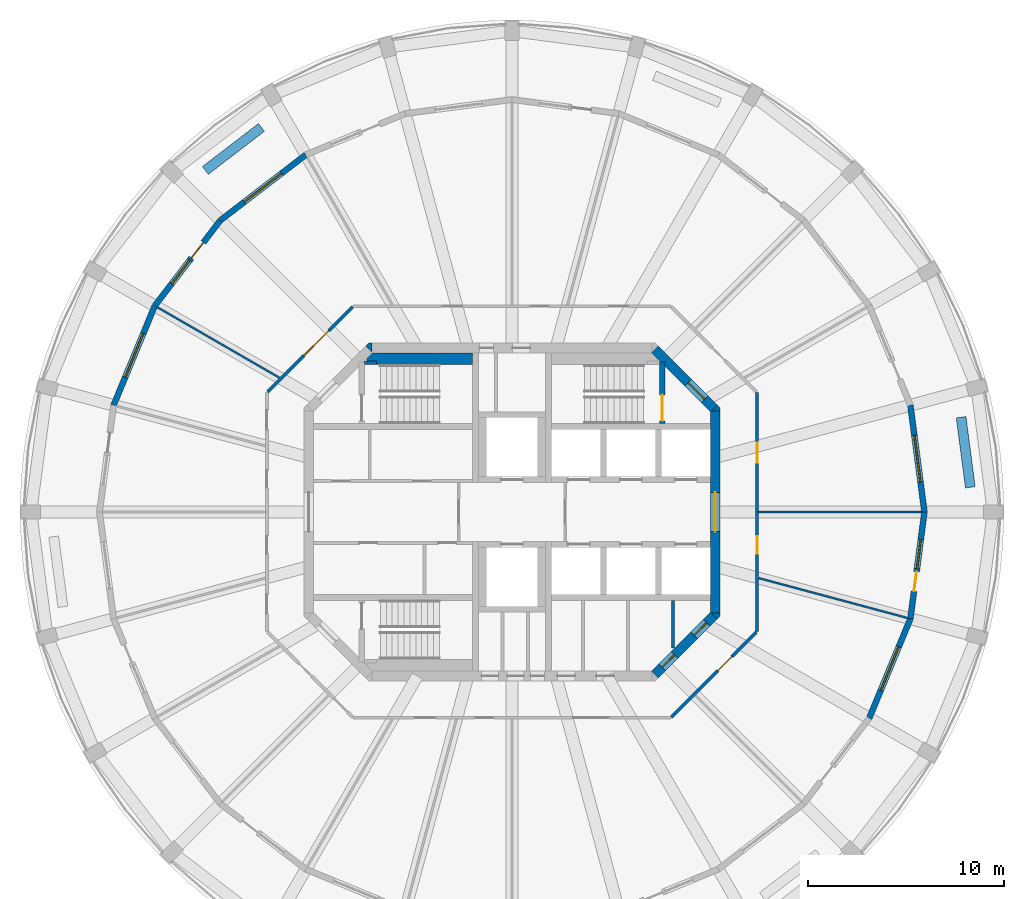
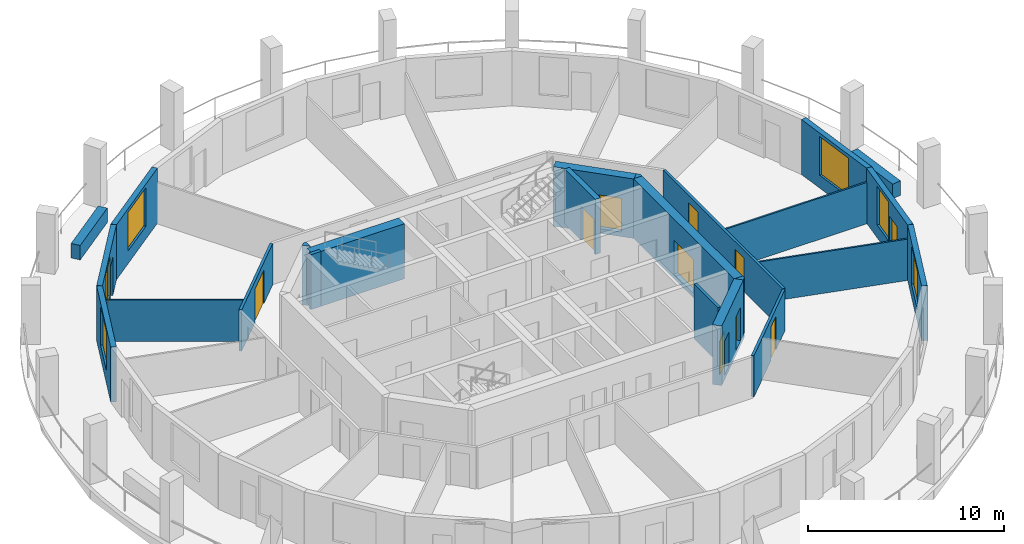
# One storey, part 5 of 9: 24 walls, 11 doors, 6 windows, 17 openings.
"""IFC4 building model written with IfcOpenShell, lengths in metres."""

from ifc_helpers import new_model, si_unit, direction, frame, frame_2d, origin, place, context, subcontext, project, spatial, polyline, rectangle, outline, extrude, material, layer, layer_set, type_object, element, fill, save


model = new_model("IFC4")

# Units and contexts
model_context = context("Model", 3, precision=1e-05, world=origin(), true_north=direction((0.0, 1.0)))
body_context = subcontext(model_context, "Body", "Model", "MODEL_VIEW")
ifc_project = project(units=[si_unit("LENGTHUNIT", "METRE"), si_unit("AREAUNIT", "SQUARE_METRE"), si_unit("VOLUMEUNIT", "CUBIC_METRE"), si_unit("PLANEANGLEUNIT", "RADIAN"), si_unit("MASSUNIT", "GRAM", prefix="KILO")], contexts=[model_context])

# Site, building, storey
site_placement = place(None, origin())
site = spatial("IfcSite", under=ifc_project, at=site_placement, CompositionType="ELEMENT")
building_placement = place(site_placement, origin())
building = spatial("IfcBuilding", under=site, at=building_placement, Name="Torre Triforio", CompositionType="ELEMENT")
storey_placement = place(building_placement, frame((0.0, 0.0, 264.89990234375)))
storey = spatial("IfcBuildingStorey", under=building, at=storey_placement, Name="L61", CompositionType="ELEMENT", Elevation=264.89990234375)

# Wall, opening, door
ifc_material_1 = material(Name="Concrete C40", Category="concrete")
ifc_layer_1 = layer(ifc_material_1, 0.5)
ifc_layer_set_1 = layer_set([ifc_layer_1], Name="Concrete C40")
wall_type_1 = type_object("IfcWallType", Name="Core wall 500 mm C40 EI 120", PredefinedType="SHEAR", material=ifc_layer_set_1)
wall_1_placement = place(storey_placement, frame((10.35009765625, -5.1298828125, -0.27978515625), z_axis=(0.0, 0.0, 1.0), x_axis=(0.0, 1.0, 0.0)))
wall_1 = element("IfcWall", 1, at=wall_1_placement, inside=storey, type_object=wall_type_1, Name="Core wall", PredefinedType="SHEAR", context=body_context, shape_type="SweptSolid", body=[
    extrude(rectangle(XDim=10.259765625, YDim=0.5, at=frame_2d((5.1298828125, 0.0))), origin(), (0.0, 0.0, 1.0), 3.699951171875),
])
opening_1_placement = place(wall_1_placement, frame((4.1298828125, 0.0, 0.280029296875)))
opening_1 = element("IfcOpeningElement", 2, at=opening_1_placement, cuts=wall_1, Name="Opening E-RING", PredefinedType="OPENING", context=body_context, shape_type="SweptSolid", body=[
    extrude(rectangle(XDim=2.0, YDim=2.10009765625, at=frame_2d((1.0, 1.050048828125))), frame((0.0, 0.260009765625, 0.0), z_axis=(0.0, -1.0, 0.0), x_axis=(1.0, 0.0, 0.0)), (0.0, 0.0, 1.0), 0.52001953125),
])
ifc_material_2 = material(Name="Hollow metal fire door leaf")
door_type_1 = type_object("IfcDoorType", Name="Lobby door 2000 x 2100 EI 60", OperationType="DOUBLE_DOOR_SINGLE_SWING", PredefinedType="DOOR", material=ifc_material_2)
door_1_placement = place(opening_1_placement, origin())
door_1 = element("IfcDoor", 3, at=door_1_placement, inside=storey, type_object=door_type_1, Name="Core door E-RING", OperationType="DOUBLE_DOOR_SINGLE_SWING", OverallHeight=2.10009765625, OverallWidth=2.0, PredefinedType="DOOR", context=body_context, shape_type="SweptSolid", body=[
    extrude(rectangle(XDim=2.0, YDim=2.10009765625, at=frame_2d((1.0, 1.050048828125))), frame((0.0, 0.02490234375, 0.0), z_axis=(0.0, -1.0, 0.0), x_axis=(1.0, 0.0, 0.0)), (0.0, 0.0, 1.0), 0.050048828125),
])
fill(opening_1, door_1)

wall_2_placement = place(storey_placement, frame((7.27685546875, 8.27685546875, -0.27978515625), z_axis=(0.0, 0.0, 1.0), x_axis=(0.707106781187, -0.707106781187, 0.0)))
wall_2 = element("IfcWall", 4, at=wall_2_placement, inside=storey, type_object=wall_type_1, Name="Core wall", PredefinedType="SHEAR", context=body_context, shape_type="SweptSolid", body=[
    extrude(rectangle(XDim=4.24267578125, YDim=0.5, at=frame_2d((2.121337890625, 0.0))), origin(), (0.0, 0.0, 1.0), 3.699951171875),
])
opening_2_placement = place(wall_2_placement, frame((2.392578125, 0.0, 0.280029296875)))
opening_2 = element("IfcOpeningElement", 5, at=opening_2_placement, cuts=wall_2, Name="Opening ST2-EXIT", PredefinedType="OPENING", context=body_context, shape_type="SweptSolid", body=[
    extrude(rectangle(XDim=1.199951171875, YDim=2.10009765625, at=frame_2d((0.60009765625, 1.050048828125))), frame((0.0, 0.260009765625, 0.0), z_axis=(0.0, -1.0, 0.0), x_axis=(1.0, 0.0, 0.0)), (0.0, 0.0, 1.0), 0.52001953125),
])
door_type_2 = type_object("IfcDoorType", Name="Stair lobby door 1200 x 2100 EI 60", OperationType="NOTDEFINED", PredefinedType="DOOR", material=ifc_material_2)
door_2_placement = place(opening_2_placement, origin())
door_2 = element("IfcDoor", 6, at=door_2_placement, inside=storey, type_object=door_type_2, Name="Core door ST2-EXIT", OperationType="SINGLE_SWING_RIGHT", OverallHeight=2.10009765625, OverallWidth=1.199951171875, PredefinedType="DOOR", context=body_context, shape_type="SweptSolid", body=[
    extrude(rectangle(XDim=1.199951171875, YDim=2.10009765625, at=frame_2d((0.60009765625, 1.050048828125))), frame((0.0, 0.02490234375, 0.0), z_axis=(0.0, -1.0, 0.0), x_axis=(1.0, 0.0, 0.0)), (0.0, 0.0, 1.0), 0.050048828125),
])
fill(opening_2, door_2)

# Wall, openings, doors
wall_3_placement = place(storey_placement, frame((10.27685546875, -5.27685546875, -0.27978515625), z_axis=(0.0, 0.0, 1.0), x_axis=(-0.707106781187, -0.707106781187, 0.0)))
wall_3 = element("IfcWall", 7, at=wall_3_placement, inside=storey, type_object=wall_type_1, Name="Core wall", PredefinedType="SHEAR", context=body_context, shape_type="SweptSolid", body=[
    extrude(rectangle(XDim=4.24267578125, YDim=0.5, at=frame_2d((2.121337890625, 0.0))), origin(), (0.0, 0.0, 1.0), 3.699951171875),
])
opening_3_placement = place(wall_3_placement, frame((2.82275390625, 0.0, 0.280029296875)))
opening_3 = element("IfcOpeningElement", 8, at=opening_3_placement, cuts=wall_3, Name="Opening SE-03", PredefinedType="OPENING", context=body_context, shape_type="SweptSolid", body=[
    extrude(rectangle(XDim=0.89990234375, YDim=2.10009765625, at=frame_2d((0.449951171875, 1.050048828125))), frame((0.0, 0.260009765625, 0.0), z_axis=(0.0, -1.0, 0.0), x_axis=(1.0, 0.0, 0.0)), (0.0, 0.0, 1.0), 0.52001953125),
])
opening_4_placement = place(wall_3_placement, frame((0.52001953125, 0.0, 0.280029296875)))
opening_4 = element("IfcOpeningElement", 9, at=opening_4_placement, cuts=wall_3, Name="Opening SE-04", PredefinedType="OPENING", context=body_context, shape_type="SweptSolid", body=[
    extrude(rectangle(XDim=0.89990234375, YDim=2.10009765625, at=frame_2d((0.449951171875, 1.050048828125))), frame((0.0, 0.260009765625, 0.0), z_axis=(0.0, -1.0, 0.0), x_axis=(1.0, 0.0, 0.0)), (0.0, 0.0, 1.0), 0.52001953125),
])
door_type_3 = type_object("IfcDoorType", Name="Room door 900 x 2100 EI 60", OperationType="NOTDEFINED", PredefinedType="DOOR", material=ifc_material_2)
door_3_placement = place(opening_3_placement, origin())
door_3 = element("IfcDoor", 10, at=door_3_placement, inside=storey, type_object=door_type_3, Name="Core door SE-03", OperationType="SINGLE_SWING_RIGHT", OverallHeight=2.10009765625, OverallWidth=0.89990234375, PredefinedType="DOOR", context=body_context, shape_type="SweptSolid", body=[
    extrude(rectangle(XDim=0.89990234375, YDim=2.10009765625, at=frame_2d((0.449951171875, 1.050048828125))), frame((0.0, 0.02490234375, 0.0), z_axis=(0.0, -1.0, 0.0), x_axis=(1.0, 0.0, 0.0)), (0.0, 0.0, 1.0), 0.050048828125),
])
fill(opening_3, door_3)
door_4_placement = place(opening_4_placement, origin())
door_4 = element("IfcDoor", 11, at=door_4_placement, inside=storey, type_object=door_type_3, Name="Core door SE-04", OperationType="SINGLE_SWING_LEFT", OverallHeight=2.10009765625, OverallWidth=0.89990234375, PredefinedType="DOOR", context=body_context, shape_type="SweptSolid", body=[
    extrude(rectangle(XDim=0.89990234375, YDim=2.10009765625, at=frame_2d((0.449951171875, 1.050048828125))), frame((0.0, 0.02490234375, 0.0), z_axis=(0.0, -1.0, 0.0), x_axis=(1.0, 0.0, 0.0)), (0.0, 0.0, 1.0), 0.050048828125),
])
fill(opening_4, door_4)

# Walls
wall_4_placement = place(storey_placement, frame((0.0, 0.0, -0.27978515625)))
element("IfcWall", 12, at=wall_4_placement, inside=storey, type_object=wall_type_1, Name="Core wall", PredefinedType="SHEAR", context=body_context, shape_type="SweptSolid", body=[
    extrude(outline(polyline([(10.60009765625, -5.30712890625), (10.45361328125, -5.45361328125), (10.1298828125, -5.1298828125), (10.60009765625, -5.1298828125), (10.60009765625, -5.30712890625)])), origin(), (0.0, 0.0, 1.0), 3.699951171875),
])
wall_5_placement = place(storey_placement, frame((0.0, 0.0, -0.27978515625)))
element("IfcWall", 13, at=wall_5_placement, inside=storey, type_object=wall_type_1, Name="Core wall", PredefinedType="SHEAR", context=body_context, shape_type="SweptSolid", body=[
    extrude(outline(polyline([(10.60009765625, 5.30712890625), (10.60009765625, 5.1298828125), (10.1298828125, 5.1298828125), (10.45361328125, 5.45361328125), (10.60009765625, 5.30712890625)])), origin(), (0.0, 0.0, 1.0), 3.699951171875),
])
wall_6_placement = place(storey_placement, frame((0.0, 0.0, -0.27978515625)))
element("IfcWall", 14, at=wall_6_placement, inside=storey, type_object=wall_type_1, Name="Core wall", PredefinedType="SHEAR", context=body_context, shape_type="SweptSolid", body=[
    extrude(outline(polyline([(-7.30712890625, 8.60009765625), (-7.1298828125, 8.60009765625), (-7.1298828125, 8.1298828125), (-7.45361328125, 8.45361328125), (-7.30712890625, 8.60009765625)])), origin(), (0.0, 0.0, 1.0), 3.699951171875),
])

# Wall, opening, door
ifc_material_3 = material(Name="Plasterboard on metal studs")
ifc_layer_2 = layer(ifc_material_3, 0.14990234375)
ifc_layer_set_2 = layer_set([ifc_layer_2], Name="Plasterboard on metal studs")
wall_type_2 = type_object("IfcWallType", Name="Corridor and tenancy wall 150 mm EI 60", PredefinedType="PARTITIONING", material=ifc_layer_set_2)
wall_7_placement = place(storey_placement, frame((12.43798828125, -6.120849609375, 0.0), z_axis=(0.0, 0.0, 1.0), x_axis=(-0.707106781187, -0.707106781187, 0.0)))
wall_7 = element("IfcWall", 15, at=wall_7_placement, inside=storey, type_object=wall_type_2, Name="Partition 1", PredefinedType="PARTITIONING", context=body_context, shape_type="SweptSolid", body=[
    extrude(rectangle(XDim=6.10546875, YDim=0.14990234375, at=frame_2d((3.052734375, 0.0))), origin(), (0.0, 0.0, 1.0), 2.570068359375),
])
opening_5_placement = place(wall_7_placement, frame((1.75830078125, 0.0, 0.0)))
opening_5 = element("IfcOpeningElement", 16, at=opening_5_placement, cuts=wall_7, Name="Opening E2-05", PredefinedType="OPENING", context=body_context, shape_type="SweptSolid", body=[
    extrude(rectangle(XDim=1.0, YDim=2.10009765625, at=frame_2d((0.5, 1.050048828125))), frame((0.0, 0.0849609375, 0.0), z_axis=(0.0, -1.0, 0.0), x_axis=(1.0, 0.0, 0.0)), (0.0, 0.0, 1.0), 0.169921875),
])
ifc_material_4 = material(Name="Timber", Category="wood")
door_type_4 = type_object("IfcDoorType", Name="Door 1000 x 2100 single leaf EI 30", OperationType="NOTDEFINED", PredefinedType="DOOR", material=ifc_material_4)
door_5_placement = place(opening_5_placement, origin())
door_5 = element("IfcDoor", 17, at=door_5_placement, inside=storey, type_object=door_type_4, Name="Door E2-05", OperationType="SINGLE_SWING_LEFT", OverallHeight=2.10009765625, OverallWidth=1.0, PredefinedType="DOOR", context=body_context, shape_type="SweptSolid", body=[
    extrude(rectangle(XDim=1.0, YDim=2.10009765625, at=frame_2d((0.5, 1.050048828125))), frame((0.0, 0.02490234375, 0.0), z_axis=(0.0, -1.0, 0.0), x_axis=(1.0, 0.0, 0.0)), (0.0, 0.0, 1.0), 0.050048828125),
])
fill(opening_5, door_5)

wall_8_placement = place(storey_placement, frame((-12.43798828125, 6.120849609375, 0.0), z_axis=(0.0, 0.0, 1.0), x_axis=(0.707106781187, 0.707106781187, 0.0)))
wall_8 = element("IfcWall", 18, at=wall_8_placement, inside=storey, type_object=wall_type_2, Name="Partition 5", PredefinedType="PARTITIONING", context=body_context, shape_type="SweptSolid", body=[
    extrude(rectangle(XDim=6.10546875, YDim=0.14990234375, at=frame_2d((3.052734375, 0.0))), origin(), (0.0, 0.0, 1.0), 2.570068359375),
])
opening_6_placement = place(wall_8_placement, frame((2.601806640625, 0.0, 0.0)))
opening_6 = element("IfcOpeningElement", 19, at=opening_6_placement, cuts=wall_8, Name="Opening E2-12", PredefinedType="OPENING", context=body_context, shape_type="SweptSolid", body=[
    extrude(rectangle(XDim=1.800048828125, YDim=2.10009765625, at=frame_2d((0.89990234375, 1.050048828125))), frame((0.0, 0.0849609375, 0.0), z_axis=(0.0, -1.0, 0.0), x_axis=(1.0, 0.0, 0.0)), (0.0, 0.0, 1.0), 0.169921875),
])
door_type_5 = type_object("IfcDoorType", Name="Door 1800 x 2100 double leaf EI 30", OperationType="DOUBLE_DOOR_SINGLE_SWING", PredefinedType="DOOR", material=ifc_material_4)
door_6_placement = place(opening_6_placement, origin())
door_6 = element("IfcDoor", 20, at=door_6_placement, inside=storey, type_object=door_type_5, Name="Door E2-12", OperationType="DOUBLE_DOOR_SINGLE_SWING", OverallHeight=2.10009765625, OverallWidth=1.800048828125, PredefinedType="DOOR", context=body_context, shape_type="SweptSolid", body=[
    extrude(rectangle(XDim=1.800048828125, YDim=2.10009765625, at=frame_2d((0.89990234375, 1.050048828125))), frame((0.0, 0.02490234375, 0.0), z_axis=(0.0, -1.0, 0.0), x_axis=(1.0, 0.0, 0.0)), (0.0, 0.0, 1.0), 0.050048828125),
])
fill(opening_6, door_6)

# Wall, openings, doors
wall_9_placement = place(storey_placement, frame((12.47509765625, 6.083740234375, 0.0), z_axis=(0.0, 0.0, 1.0), x_axis=(0.0, -1.0, 0.0)))
wall_9 = element("IfcWall", 21, at=wall_9_placement, inside=storey, type_object=wall_type_2, Name="Partition 8", PredefinedType="PARTITIONING", context=body_context, shape_type="SweptSolid", body=[
    extrude(rectangle(XDim=12.16748046875, YDim=0.14990234375, at=frame_2d((6.083740234375, 0.0))), origin(), (0.0, 0.0, 1.0), 2.570068359375),
])
opening_7_placement = place(wall_9_placement, frame((7.305908203125, 0.0, 0.0)))
opening_7 = element("IfcOpeningElement", 22, at=opening_7_placement, cuts=wall_9, Name="Opening E2-06", PredefinedType="OPENING", context=body_context, shape_type="SweptSolid", body=[
    extrude(rectangle(XDim=0.89990234375, YDim=2.10009765625, at=frame_2d((0.449951171875, 1.050048828125))), frame((0.0, 0.0849609375, 0.0), z_axis=(0.0, -1.0, 0.0), x_axis=(1.0, 0.0, 0.0)), (0.0, 0.0, 1.0), 0.169921875),
])
opening_8_placement = place(wall_9_placement, frame((2.56689453125, 0.0, 0.0)))
opening_8 = element("IfcOpeningElement", 23, at=opening_8_placement, cuts=wall_9, Name="Opening E2-07", PredefinedType="OPENING", context=body_context, shape_type="SweptSolid", body=[
    extrude(rectangle(XDim=1.0, YDim=2.10009765625, at=frame_2d((0.5, 1.050048828125))), frame((0.0, 0.0849609375, 0.0), z_axis=(0.0, -1.0, 0.0), x_axis=(1.0, 0.0, 0.0)), (0.0, 0.0, 1.0), 0.169921875),
])
door_7_placement = place(opening_8_placement, origin())
door_7 = element("IfcDoor", 24, at=door_7_placement, inside=storey, type_object=door_type_4, Name="Door E2-07", OperationType="SINGLE_SWING_LEFT", OverallHeight=2.10009765625, OverallWidth=1.0, PredefinedType="DOOR", context=body_context, shape_type="SweptSolid", body=[
    extrude(rectangle(XDim=1.0, YDim=2.10009765625, at=frame_2d((0.5, 1.050048828125))), frame((0.0, 0.02490234375, 0.0), z_axis=(0.0, -1.0, 0.0), x_axis=(1.0, 0.0, 0.0)), (0.0, 0.0, 1.0), 0.050048828125),
])
fill(opening_8, door_7)
door_type_6 = type_object("IfcDoorType", Name="Door 900 x 2100 single leaf EI 30", OperationType="NOTDEFINED", PredefinedType="DOOR", material=ifc_material_4)
door_8_placement = place(opening_7_placement, origin())
door_8 = element("IfcDoor", 25, at=door_8_placement, inside=storey, type_object=door_type_6, Name="Door E2-06", OperationType="SINGLE_SWING_LEFT", OverallHeight=2.10009765625, OverallWidth=0.89990234375, PredefinedType="DOOR", context=body_context, shape_type="SweptSolid", body=[
    extrude(rectangle(XDim=0.89990234375, YDim=2.10009765625, at=frame_2d((0.449951171875, 1.050048828125))), frame((0.0, 0.02490234375, 0.0), z_axis=(0.0, -1.0, 0.0), x_axis=(1.0, 0.0, 0.0)), (0.0, 0.0, 1.0), 0.050048828125),
])
fill(opening_7, door_8)

# Walls
ifc_layer_3 = layer(ifc_material_3, 0.10009765625)
ifc_layer_set_3 = layer_set([ifc_layer_3], Name="Plasterboard on metal studs")
wall_type_3 = type_object("IfcWallType", Name="Partition 100 mm board on metal studs", PredefinedType="PARTITIONING", material=ifc_layer_set_3)
wall_10_placement = place(storey_placement, frame((12.550048828125, 0.0, 0.0), z_axis=(0.0, 0.0, 1.0), x_axis=(1.0, 0.0, 0.0)))
element("IfcWall", 26, at=wall_10_placement, inside=storey, type_object=wall_type_3, Name="Partition 9", PredefinedType="PARTITIONING", context=body_context, shape_type="SweptSolid", body=[
    extrude(rectangle(XDim=8.28662109375, YDim=0.10009765625, at=frame_2d((4.143310546875, 0.0))), origin(), (0.0, 0.0, 1.0), 2.570068359375),
])
wall_11_placement = place(storey_placement, frame((-11.845947265625, 6.839111328125, 0.0), z_axis=(0.0, 0.0, 1.0), x_axis=(-0.866011787705, 0.500023583, 0.0)))
element("IfcWall", 27, at=wall_11_placement, inside=storey, type_object=wall_type_3, Name="Partition 15", PredefinedType="PARTITIONING", context=body_context, shape_type="SweptSolid", body=[
    extrude(rectangle(XDim=7.158447265625, YDim=0.10009765625, at=frame_2d((3.5791015625, 0.0))), origin(), (0.0, 0.0, 1.0), 2.570068359375),
])
wall_12_placement = place(storey_placement, frame((12.564208984375, -3.36669921875, 0.0), z_axis=(0.0, 0.0, 1.0), x_axis=(0.965933576344, -0.258790119773, 0.0)))
element("IfcWall", 28, at=wall_12_placement, inside=storey, type_object=wall_type_3, Name="Partition 25", PredefinedType="PARTITIONING", context=body_context, shape_type="SweptSolid", body=[
    extrude(rectangle(XDim=7.8291015625, YDim=0.10009765625, at=frame_2d((3.91455078125, 0.0))), origin(), (0.0, 0.0, 1.0), 2.570068359375),
])
ifc_material_5 = material(Name="Block and board partition")
ifc_layer_4 = layer(ifc_material_5, 0.14990234375)
ifc_layer_set_4 = layer_set([ifc_layer_4], Name="Block and board partition")
wall_type_4 = type_object("IfcWallType", Name="Partition 150 mm", PredefinedType="PARTITIONING", material=ifc_layer_set_4)
wall_13_placement = place(storey_placement, frame((8.18896484375, -6.93603515625, 0.0), z_axis=(0.0, 0.0, 1.0), x_axis=(0.0, 1.0, 0.0)))
element("IfcWall", 29, at=wall_13_placement, inside=storey, type_object=wall_type_4, Name="Partition", PredefinedType="PARTITIONING", context=body_context, shape_type="SweptSolid", body=[
    extrude(rectangle(XDim=2.43603515625, YDim=0.14990234375, at=frame_2d((1.218017578125, 0.0))), origin(), (0.0, 0.0, 1.0), 3.420166015625),
])
ifc_material_6 = material(Name="Limestone cladding", Category="masonry")
ifc_layer_5 = layer(ifc_material_6, 0.10009765625)
ifc_layer_6 = layer(ifc_material_1, 0.39990234375)
ifc_layer_set_5 = layer_set([ifc_layer_5, ifc_layer_6], Name="Limestone cladding / Concrete C40")
wall_type_5 = type_object("IfcWallType", Name="Planter wall 500", PredefinedType="PARAPET", material=ifc_layer_set_5)
for number, where, z_axis, x_axis, name in (
    (30, (23.335693359375, 1.256591796875, 0.0), (0.0, 0.0, 1.0), (-0.130542222659, 0.991442750795, 0.0), "Planter L61 bay 01"),
    (31, (-12.756103515625, 19.580810546875, 0.0), (0.0, 0.0, 1.0), (-0.793384730612, -0.608720518162, 0.0), "Planter L61 bay 09"),
):
    element("IfcWall", number, at=place(storey_placement, frame(where, z_axis=z_axis, x_axis=x_axis)), inside=storey, type_object=wall_type_5, Name=name, PredefinedType="PARAPET", context=body_context, shape_type="SweptSolid", body=[
        extrude(rectangle(XDim=3.60009765625, YDim=0.5, at=frame_2d((1.800048828125, 0.0))), origin(), (0.0, 0.0, 1.0), 0.900146484375),
    ])
ifc_layer_7 = layer(ifc_material_1, 0.199951171875)
ifc_layer_set_6 = layer_set([ifc_layer_7], Name="Concrete C40")
wall_type_6 = type_object("IfcWallType", Name="Stair wall 200 mm C40 EI 120", PredefinedType="SHEAR", material=ifc_layer_set_6)
wall_14_placement = place(storey_placement, frame((-7.5, 7.60009765625, 0.0), z_axis=(0.0, 0.0, 1.0), x_axis=(1.0, 0.0, 0.0)))
element("IfcWall", 32, at=wall_14_placement, inside=storey, type_object=wall_type_6, Name="Stair wall", PredefinedType="SHEAR", context=body_context, shape_type="SweptSolid", body=[
    extrude(rectangle(XDim=0.60009765625, YDim=0.199951171875, at=frame_2d((0.300048828125, 0.0))), origin(), (0.0, 0.0, 1.0), 3.420166015625),
])

# Wall, opening, door
ifc_layer_8 = layer(ifc_material_1, 0.300048828125)
ifc_layer_set_7 = layer_set([ifc_layer_8], Name="Concrete C40")
wall_type_7 = type_object("IfcWallType", Name="Stair wall 300 mm C40 EI 120", PredefinedType="SHEAR", material=ifc_layer_set_7)
wall_15_placement = place(storey_placement, frame((7.64990234375, 4.5, 0.0), z_axis=(0.0, 0.0, 1.0), x_axis=(0.0, 1.0, 0.0)))
wall_15 = element("IfcWall", 33, at=wall_15_placement, inside=storey, type_object=wall_type_7, Name="Stair wall", PredefinedType="SHEAR", context=body_context, shape_type="SweptSolid", body=[
    extrude(rectangle(XDim=3.139892578125, YDim=0.300048828125, at=frame_2d((1.56982421875, 0.0))), origin(), (0.0, 0.0, 1.0), 3.420166015625),
])
opening_9_placement = place(wall_15_placement, frame((0.139892578125, 0.0, 0.0)))
opening_9 = element("IfcOpeningElement", 34, at=opening_9_placement, cuts=wall_15, Name="Opening ST2-STA", PredefinedType="OPENING", context=body_context, shape_type="SweptSolid", body=[
    extrude(rectangle(XDim=1.320068359375, YDim=2.10009765625, at=frame_2d((0.66015625, 1.050048828125))), frame((0.0, 0.159912109375, 0.0), z_axis=(0.0, -1.0, 0.0), x_axis=(1.0, 0.0, 0.0)), (0.0, 0.0, 1.0), 0.320068359375),
])
door_type_7 = type_object("IfcDoorType", Name="Stair door 1320 x 2100 EI 90", OperationType="DOUBLE_DOOR_SINGLE_SWING", PredefinedType="DOOR", material=ifc_material_2)
door_9_placement = place(opening_9_placement, origin())
door_9 = element("IfcDoor", 35, at=door_9_placement, inside=storey, type_object=door_type_7, Name="Core door ST2-ST", OperationType="DOUBLE_DOOR_SINGLE_SWING", OverallHeight=2.10009765625, OverallWidth=1.320068359375, PredefinedType="DOOR", context=body_context, shape_type="SweptSolid", body=[
    extrude(rectangle(XDim=1.320068359375, YDim=2.10009765625, at=frame_2d((0.66015625, 1.050048828125))), frame((0.0, 0.02490234375, 0.0), z_axis=(0.0, -1.0, 0.0), x_axis=(1.0, 0.0, 0.0)), (0.0, 0.0, 1.0), 0.050048828125),
])
fill(opening_9, door_9)

# Wall
ifc_layer_9 = layer(ifc_material_1, 0.60009765625)
ifc_layer_set_8 = layer_set([ifc_layer_9], Name="Concrete C40")
wall_type_8 = type_object("IfcWallType", Name="Stair wall 600 mm C40 EI 120", PredefinedType="SHEAR", material=ifc_layer_set_8)
wall_16_placement = place(storey_placement, frame((-7.3701171875, 7.800048828125, 0.0), z_axis=(0.0, 0.0, 1.0), x_axis=(1.0, 0.0, 0.0)))
element("IfcWall", 36, at=wall_16_placement, inside=storey, type_object=wall_type_8, Name="Stair wall", PredefinedType="SHEAR", context=body_context, shape_type="SweptSolid", body=[
    extrude(rectangle(XDim=5.3701171875, YDim=0.60009765625, at=frame_2d((2.68505859375, 0.0))), origin(), (0.0, 0.0, 1.0), 3.420166015625),
])

# Wall, opening, window
ifc_layer_10 = layer(ifc_material_6, 0.10009765625)
ifc_layer_11 = layer(ifc_material_1, 0.199951171875)
ifc_layer_set_9 = layer_set([ifc_layer_10, ifc_layer_11], Name="Limestone cladding / Concrete C40")
wall_type_9 = type_object("IfcWallType", Name="Stone-faced composite wall 300", PredefinedType="STANDARD", material=ifc_layer_set_9)
wall_17_placement = place(storey_placement, frame((21.0, 0.0, 0.0), z_axis=(0.0, 0.0, 1.0), x_axis=(-0.130527087244, 0.991444743541, 0.0)))
wall_17 = element("IfcWall", 37, at=wall_17_placement, inside=storey, type_object=wall_type_9, Name="External wall L61 bay 01", PredefinedType="STANDARD", context=body_context, shape_type="SweptSolid", body=[
    extrude(rectangle(XDim=5.482177734375, YDim=0.300048828125, at=frame_2d((2.7412109375, 0.0))), origin(), (0.0, 0.0, 1.0), 3.420166015625),
])
opening_10_placement = place(wall_17_placement, frame((1.541015625, 0.0, 0.800048828125)))
opening_10 = element("IfcOpeningElement", 38, at=opening_10_placement, cuts=wall_17, Name="Opening E2-W01", PredefinedType="OPENING", context=body_context, shape_type="SweptSolid", body=[
    extrude(rectangle(XDim=2.39990234375, YDim=2.39990234375, at=frame_2d((1.199951171875, 1.199951171875))), frame((0.0, 0.159912109375, 0.0), z_axis=(0.0, -1.0, 0.0), x_axis=(1.0, 0.0, 0.0)), (0.0, 0.0, 1.0), 0.320068359375),
])
ifc_material_7 = material(Name="Aluminium frame with clear double glazing", Category="aluminium")
window_type_1 = type_object("IfcWindowType", Name="Punched window 2400 x 2400", PartitioningType="DOUBLE_PANEL_VERTICAL", PredefinedType="WINDOW", material=ifc_material_7)
window_1_placement = place(opening_10_placement, origin())
window_1 = element("IfcWindow", 39, at=window_1_placement, inside=storey, type_object=window_type_1, Name="Window EWN4 L61 bay 01", OverallHeight=2.39990234375, OverallWidth=2.39990234375, PartitioningType="SINGLE_PANEL", PredefinedType="WINDOW", context=body_context, shape_type="SweptSolid", body=[
    extrude(rectangle(XDim=2.39990234375, YDim=2.39990234375, at=frame_2d((1.199951171875, 1.199951171875))), frame((0.0, 0.030029296875, 0.0), z_axis=(0.0, -1.0, 0.0), x_axis=(1.0, 0.0, 0.0)), (0.0, 0.0, 1.0), 0.06005859375),
])
fill(opening_10, window_1)

wall_18_placement = place(storey_placement, frame((-10.5, 18.1865234375, 0.0), z_axis=(0.0, 0.0, 1.0), x_axis=(-0.793335336593, -0.608784891166, 0.0)))
wall_18 = element("IfcWall", 40, at=wall_18_placement, inside=storey, type_object=wall_type_9, Name="External wall L61 bay 09", PredefinedType="STANDARD", context=body_context, shape_type="SweptSolid", body=[
    extrude(rectangle(XDim=5.482177734375, YDim=0.300048828125, at=frame_2d((2.7412109375, 0.0))), origin(), (0.0, 0.0, 1.0), 3.420166015625),
])
opening_11_placement = place(wall_18_placement, frame((1.541015625, 0.0, 0.800048828125)))
opening_11 = element("IfcOpeningElement", 41, at=opening_11_placement, cuts=wall_18, Name="Opening E2-W09", PredefinedType="OPENING", context=body_context, shape_type="SweptSolid", body=[
    extrude(rectangle(XDim=2.39990234375, YDim=2.39990234375, at=frame_2d((1.199951171875, 1.199951171875))), frame((0.0, 0.159912109375, 0.0), z_axis=(0.0, -1.0, 0.0), x_axis=(1.0, 0.0, 0.0)), (0.0, 0.0, 1.0), 0.320068359375),
])
window_2_placement = place(opening_11_placement, origin())
window_2 = element("IfcWindow", 42, at=window_2_placement, inside=storey, type_object=window_type_1, Name="Window EWN4 L61 bay 09", OverallHeight=2.39990234375, OverallWidth=2.39990234375, PartitioningType="SINGLE_PANEL", PredefinedType="WINDOW", context=body_context, shape_type="SweptSolid", body=[
    extrude(rectangle(XDim=2.39990234375, YDim=2.39990234375, at=frame_2d((1.199951171875, 1.199951171875))), frame((0.0, 0.030029296875, 0.0), z_axis=(0.0, -1.0, 0.0), x_axis=(1.0, 0.0, 0.0)), (0.0, 0.0, 1.0), 0.06005859375),
])
fill(opening_11, window_2)

# Wall, openings, door, window
wall_19_placement = place(storey_placement, frame((-14.84912109375, 14.84912109375, 0.0), z_axis=(0.0, 0.0, 1.0), x_axis=(-0.608784891166, -0.793335336593, 0.0)))
wall_19 = element("IfcWall", 43, at=wall_19_placement, inside=storey, type_object=wall_type_9, Name="External wall L61 bay 10", PredefinedType="STANDARD", context=body_context, shape_type="SweptSolid", body=[
    extrude(rectangle(XDim=5.482177734375, YDim=0.300048828125, at=frame_2d((2.7412109375, 0.0))), origin(), (0.0, 0.0, 1.0), 3.420166015625),
])
opening_12_placement = place(wall_19_placement, frame((1.416015625, 0.0, 0.0)))
opening_12 = element("IfcOpeningElement", 44, at=opening_12_placement, cuts=wall_19, Name="Opening E2-D10", PredefinedType="OPENING", context=body_context, shape_type="SweptSolid", body=[
    extrude(rectangle(XDim=1.0, YDim=2.39990234375, at=frame_2d((0.5, 1.199951171875))), frame((0.0, 0.159912109375, 0.0), z_axis=(0.0, -1.0, 0.0), x_axis=(1.0, 0.0, 0.0)), (0.0, 0.0, 1.0), 0.320068359375),
])
opening_13_placement = place(wall_19_placement, frame((2.56591796875, 0.0, 0.800048828125)))
opening_13 = element("IfcOpeningElement", 45, at=opening_13_placement, cuts=wall_19, Name="Opening E2-W10A", PredefinedType="OPENING", context=body_context, shape_type="SweptSolid", body=[
    extrude(rectangle(XDim=1.5, YDim=2.39990234375, at=frame_2d((0.75, 1.199951171875))), frame((0.0, 0.159912109375, 0.0), z_axis=(0.0, -1.0, 0.0), x_axis=(1.0, 0.0, 0.0)), (0.0, 0.0, 1.0), 0.320068359375),
])
door_type_8 = type_object("IfcDoorType", Name="Loggia door 1000 x 2400", OperationType="NOTDEFINED", PredefinedType="DOOR", material=ifc_material_7)
door_10_placement = place(opening_12_placement, origin())
door_10 = element("IfcDoor", 46, at=door_10_placement, inside=storey, type_object=door_type_8, Name="Loggia door L61 bay 10", OperationType="SINGLE_SWING_LEFT", OverallHeight=2.39990234375, OverallWidth=1.0, PredefinedType="DOOR", context=body_context, shape_type="SweptSolid", body=[
    extrude(rectangle(XDim=1.0, YDim=2.39990234375, at=frame_2d((0.5, 1.199951171875))), frame((0.0, 0.02490234375, 0.0), z_axis=(0.0, -1.0, 0.0), x_axis=(1.0, 0.0, 0.0)), (0.0, 0.0, 1.0), 0.050048828125),
])
fill(opening_12, door_10)
window_type_2 = type_object("IfcWindowType", Name="Side window 1500 x 2400", PartitioningType="SINGLE_PANEL", PredefinedType="WINDOW", material=ifc_material_7)
window_3_placement = place(opening_13_placement, origin())
window_3 = element("IfcWindow", 47, at=window_3_placement, inside=storey, type_object=window_type_2, Name="Side window EWN14 L61 bay 10", OverallHeight=2.39990234375, OverallWidth=1.5, PartitioningType="SINGLE_PANEL", PredefinedType="WINDOW", context=body_context, shape_type="SweptSolid", body=[
    extrude(rectangle(XDim=1.5, YDim=2.39990234375, at=frame_2d((0.75, 1.199951171875))), frame((0.0, 0.030029296875, 0.0), z_axis=(0.0, -1.0, 0.0), x_axis=(1.0, 0.0, 0.0)), (0.0, 0.0, 1.0), 0.06005859375),
])
fill(opening_13, window_3)

# Wall, opening, window
wall_20_placement = place(storey_placement, frame((-18.1865234375, 10.5, 0.0), z_axis=(0.0, 0.0, 1.0), x_axis=(-0.382688740813, -0.923877333662, 0.0)))
wall_20 = element("IfcWall", 48, at=wall_20_placement, inside=storey, type_object=wall_type_9, Name="External wall L61 bay 11", PredefinedType="STANDARD", context=body_context, shape_type="SweptSolid", body=[
    extrude(rectangle(XDim=5.48193359375, YDim=0.300048828125, at=frame_2d((2.740966796875, 0.0))), origin(), (0.0, 0.0, 1.0), 3.420166015625),
])
opening_14_placement = place(wall_20_placement, frame((1.541015625, 0.0, 0.800048828125)))
opening_14 = element("IfcOpeningElement", 49, at=opening_14_placement, cuts=wall_20, Name="Opening E2-W11", PredefinedType="OPENING", context=body_context, shape_type="SweptSolid", body=[
    extrude(rectangle(XDim=2.39990234375, YDim=2.39990234375, at=frame_2d((1.199951171875, 1.199951171875))), frame((0.0, 0.159912109375, 0.0), z_axis=(0.0, -1.0, 0.0), x_axis=(1.0, 0.0, 0.0)), (0.0, 0.0, 1.0), 0.320068359375),
])
window_4_placement = place(opening_14_placement, origin())
window_4 = element("IfcWindow", 50, at=window_4_placement, inside=storey, type_object=window_type_1, Name="Window EWN4 L61 bay 11", OverallHeight=2.39990234375, OverallWidth=2.39990234375, PartitioningType="SINGLE_PANEL", PredefinedType="WINDOW", context=body_context, shape_type="SweptSolid", body=[
    extrude(rectangle(XDim=2.39990234375, YDim=2.39990234375, at=frame_2d((1.199951171875, 1.199951171875))), frame((0.0, 0.030029296875, 0.0), z_axis=(0.0, -1.0, 0.0), x_axis=(1.0, 0.0, 0.0)), (0.0, 0.0, 1.0), 0.06005859375),
])
fill(opening_14, window_4)

wall_21_placement = place(storey_placement, frame((18.1865234375, -10.5, 0.0), z_axis=(0.0, 0.0, 1.0), x_axis=(0.382688740813, 0.923877333662, 0.0)))
wall_21 = element("IfcWall", 51, at=wall_21_placement, inside=storey, type_object=wall_type_9, Name="External wall L61 bay 23", PredefinedType="STANDARD", context=body_context, shape_type="SweptSolid", body=[
    extrude(rectangle(XDim=5.48193359375, YDim=0.300048828125, at=frame_2d((2.740966796875, 0.0))), origin(), (0.0, 0.0, 1.0), 3.420166015625),
])
opening_15_placement = place(wall_21_placement, frame((1.541015625, 0.0, 0.800048828125)))
opening_15 = element("IfcOpeningElement", 52, at=opening_15_placement, cuts=wall_21, Name="Opening E2-W23", PredefinedType="OPENING", context=body_context, shape_type="SweptSolid", body=[
    extrude(rectangle(XDim=2.39990234375, YDim=2.39990234375, at=frame_2d((1.199951171875, 1.199951171875))), frame((0.0, 0.159912109375, 0.0), z_axis=(0.0, -1.0, 0.0), x_axis=(1.0, 0.0, 0.0)), (0.0, 0.0, 1.0), 0.320068359375),
])
window_5_placement = place(opening_15_placement, origin())
window_5 = element("IfcWindow", 53, at=window_5_placement, inside=storey, type_object=window_type_1, Name="Window EWN4 L61 bay 23", OverallHeight=2.39990234375, OverallWidth=2.39990234375, PartitioningType="SINGLE_PANEL", PredefinedType="WINDOW", context=body_context, shape_type="SweptSolid", body=[
    extrude(rectangle(XDim=2.39990234375, YDim=2.39990234375, at=frame_2d((1.199951171875, 1.199951171875))), frame((0.0, 0.030029296875, 0.0), z_axis=(0.0, -1.0, 0.0), x_axis=(1.0, 0.0, 0.0)), (0.0, 0.0, 1.0), 0.06005859375),
])
fill(opening_15, window_5)

# Wall, openings, door, window
wall_22_placement = place(storey_placement, frame((20.284423828125, -5.435302734375, 0.0), z_axis=(0.0, 0.0, 1.0), x_axis=(0.130527087244, 0.991444743541, 0.0)))
wall_22 = element("IfcWall", 54, at=wall_22_placement, inside=storey, type_object=wall_type_9, Name="External wall L61 bay 24", PredefinedType="STANDARD", context=body_context, shape_type="SweptSolid", body=[
    extrude(rectangle(XDim=5.482177734375, YDim=0.300048828125, at=frame_2d((2.7412109375, 0.0))), origin(), (0.0, 0.0, 1.0), 3.420166015625),
])
opening_16_placement = place(wall_22_placement, frame((1.416015625, 0.0, 0.0)))
opening_16 = element("IfcOpeningElement", 55, at=opening_16_placement, cuts=wall_22, Name="Opening E2-D24", PredefinedType="OPENING", context=body_context, shape_type="SweptSolid", body=[
    extrude(rectangle(XDim=1.0, YDim=2.39990234375, at=frame_2d((0.5, 1.199951171875))), frame((0.0, 0.159912109375, 0.0), z_axis=(0.0, -1.0, 0.0), x_axis=(1.0, 0.0, 0.0)), (0.0, 0.0, 1.0), 0.320068359375),
])
opening_17_placement = place(wall_22_placement, frame((2.566162109375, 0.0, 0.800048828125)))
opening_17 = element("IfcOpeningElement", 56, at=opening_17_placement, cuts=wall_22, Name="Opening E2-W24A", PredefinedType="OPENING", context=body_context, shape_type="SweptSolid", body=[
    extrude(rectangle(XDim=1.5, YDim=2.39990234375, at=frame_2d((0.75, 1.199951171875))), frame((0.0, 0.159912109375, 0.0), z_axis=(0.0, -1.0, 0.0), x_axis=(1.0, 0.0, 0.0)), (0.0, 0.0, 1.0), 0.320068359375),
])
door_11_placement = place(opening_16_placement, origin())
door_11 = element("IfcDoor", 57, at=door_11_placement, inside=storey, type_object=door_type_8, Name="Loggia door L61 bay 24", OperationType="SINGLE_SWING_LEFT", OverallHeight=2.39990234375, OverallWidth=1.0, PredefinedType="DOOR", context=body_context, shape_type="SweptSolid", body=[
    extrude(rectangle(XDim=1.0, YDim=2.39990234375, at=frame_2d((0.5, 1.199951171875))), frame((0.0, 0.02490234375, 0.0), z_axis=(0.0, -1.0, 0.0), x_axis=(1.0, 0.0, 0.0)), (0.0, 0.0, 1.0), 0.050048828125),
])
fill(opening_16, door_11)
window_6_placement = place(opening_17_placement, origin())
window_6 = element("IfcWindow", 58, at=window_6_placement, inside=storey, type_object=window_type_2, Name="Side window EWN14 L61 bay 24", OverallHeight=2.39990234375, OverallWidth=1.5, PartitioningType="SINGLE_PANEL", PredefinedType="WINDOW", context=body_context, shape_type="SweptSolid", body=[
    extrude(rectangle(XDim=1.5, YDim=2.39990234375, at=frame_2d((0.75, 1.199951171875))), frame((0.0, 0.030029296875, 0.0), z_axis=(0.0, -1.0, 0.0), x_axis=(1.0, 0.0, 0.0)), (0.0, 0.0, 1.0), 0.06005859375),
])
fill(opening_17, window_6)

save(model, "model.ifc")
